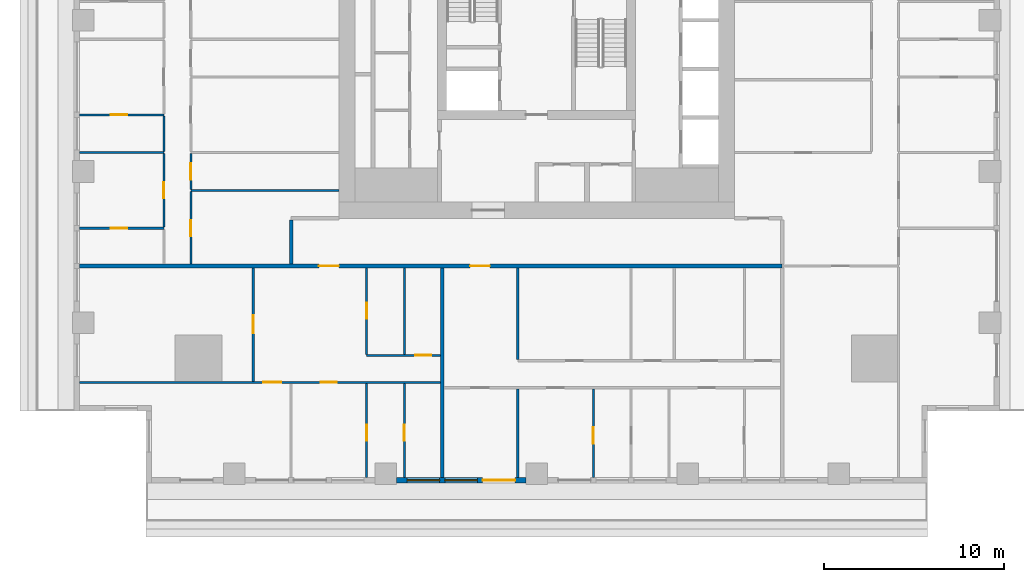
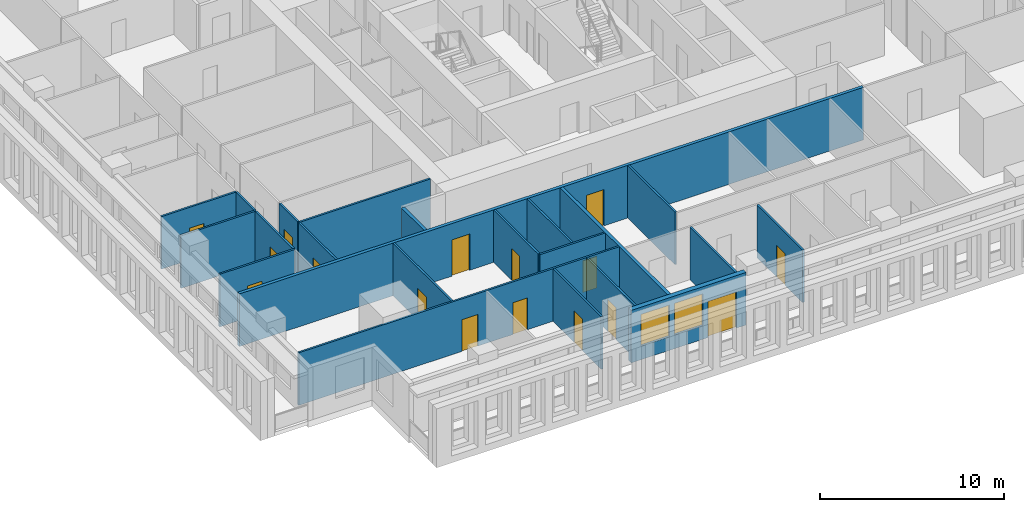
# One storey, part 2 of 16: 22 walls, 16 doors, 2 windows, 18 openings.
"""IFC4 building model written with IfcOpenShell, lengths in metres."""

from ifc_helpers import new_model, si_unit, direction, frame, frame_2d, origin, place, context, subcontext, project, spatial, rectangle, extrude, material, layer, layer_set, type_object, element, fill, save


model = new_model("IFC4")

# Units and contexts
model_context = context("Model", 3, precision=1e-05, world=origin(), true_north=direction((0.0, 1.0)))
body_context = subcontext(model_context, "Body", "Model", "MODEL_VIEW")
ifc_project = project(units=[si_unit("LENGTHUNIT", "METRE"), si_unit("AREAUNIT", "SQUARE_METRE"), si_unit("VOLUMEUNIT", "CUBIC_METRE"), si_unit("PLANEANGLEUNIT", "RADIAN"), si_unit("MASSUNIT", "GRAM", prefix="KILO")], contexts=[model_context])

# Site, building, storey
site_placement = place(None, origin())
site = spatial("IfcSite", under=ifc_project, at=site_placement, CompositionType="ELEMENT")
building_placement = place(site_placement, origin())
building = spatial("IfcBuilding", under=site, at=building_placement, Name="Khepri Terraces", CompositionType="ELEMENT")
storey_placement = place(building_placement, frame((0.0, 0.0, 172.800048828125)))
storey = spatial("IfcBuildingStorey", under=building, at=storey_placement, Name="L41", CompositionType="ELEMENT", Elevation=172.800048828125)

# Wall
ifc_material_1 = material(Name="Fire-rated gypsum plasterboard partition, mineral wool")
ifc_layer_1 = layer(ifc_material_1, 0.199951171875, Name="Fire-rated gypsum plasterboard partition, mineral wool")
ifc_layer_set_1 = layer_set([ifc_layer_1], Name="Fire-rated gypsum plasterboard partition, mineral wool")
wall_type_1 = type_object("IfcWallType", Name="WL-CORR-200", PredefinedType="PARTITIONING", material=ifc_layer_set_1)
wall_1_placement = place(storey_placement, frame((-5.25, -25.419921875, 0.0), z_axis=(0.0, 0.0, 1.0), x_axis=(0.0, 1.0, 0.0)))
element("IfcWall", 1, at=wall_1_placement, inside=storey, type_object=wall_type_1, Name="Partition P-004 L41", PredefinedType="PARTITIONING", context=body_context, shape_type="SweptSolid", body=[
    extrude(rectangle(XDim=11.669921875, YDim=0.199951171875, at=frame_2d((5.8349609375, 0.0))), origin(), (0.0, 0.0, 1.0), 3.47998046875),
])

# Wall, openings, doors
wall_2_placement = place(storey_placement, frame((-25.419921875, -13.64990234375, 0.0), z_axis=(0.0, 0.0, 1.0), x_axis=(1.0, 0.0, 0.0)))
wall_2 = element("IfcWall", 2, at=wall_2_placement, inside=storey, type_object=wall_type_1, Name="Partition P-023 L41", PredefinedType="PARTITIONING", context=body_context, shape_type="SweptSolid", body=[
    extrude(rectangle(XDim=39.06982421875, YDim=0.199951171875, at=frame_2d((19.534912109375, 0.0))), origin(), (0.0, 0.0, 1.0), 3.47998046875),
])
opening_1_placement = place(wall_2_placement, frame((13.320068359375, 0.0, 0.0)))
opening_1 = element("IfcOpeningElement", 3, at=opening_1_placement, cuts=wall_2, Name="Opening D1", PredefinedType="OPENING", context=body_context, shape_type="SweptSolid", body=[
    extrude(rectangle(XDim=1.10009765625, YDim=2.39990234375, at=frame_2d((0.550048828125, 1.199951171875))), frame((0.0, 0.10986328125, 0.0), z_axis=(0.0, -1.0, 0.0), x_axis=(1.0, 0.0, 0.0)), (0.0, 0.0, 1.0), 0.219970703125),
])
opening_2_placement = place(wall_2_placement, frame((21.719970703125, 0.0, 0.0)))
opening_2 = element("IfcOpeningElement", 4, at=opening_2_placement, cuts=wall_2, Name="Opening D1", PredefinedType="OPENING", context=body_context, shape_type="SweptSolid", body=[
    extrude(rectangle(XDim=1.10009765625, YDim=2.39990234375, at=frame_2d((0.550048828125, 1.199951171875))), frame((0.0, 0.10986328125, 0.0), z_axis=(0.0, -1.0, 0.0), x_axis=(1.0, 0.0, 0.0)), (0.0, 0.0, 1.0), 0.219970703125),
])
ifc_material_2 = material(Name="Solid-core timber door leaf, flat entrance door", Category="wood")
door_type_1 = type_object("IfcDoorType", Name="DR-ENT-1100", OperationType="NOTDEFINED", PredefinedType="DOOR", material=ifc_material_2)
door_1_placement = place(opening_1_placement, frame((1.10009765625, 0.0, 0.0), z_axis=(0.0, 0.0, 1.0), x_axis=(-1.0, 0.0, 0.0)))
door_1 = element("IfcDoor", 5, at=door_1_placement, inside=storey, type_object=door_type_1, Name="Flat A1 entrance door", OperationType="SINGLE_SWING_RIGHT", OverallHeight=2.39990234375, OverallWidth=1.10009765625, PredefinedType="DOOR", context=body_context, shape_type="SweptSolid", body=[
    extrude(rectangle(XDim=1.10009765625, YDim=2.39990234375, at=frame_2d((0.550048828125, 1.199951171875))), frame((0.0, 0.02490234375, 0.0), z_axis=(0.0, -1.0, 0.0), x_axis=(1.0, 0.0, 0.0)), (0.0, 0.0, 1.0), 0.050048828125),
])
fill(opening_1, door_1)
door_2_placement = place(opening_2_placement, frame((1.10009765625, 0.0, 0.0), z_axis=(0.0, 0.0, 1.0), x_axis=(-1.0, 0.0, 0.0)))
door_2 = element("IfcDoor", 6, at=door_2_placement, inside=storey, type_object=door_type_1, Name="Flat A2 entrance door", OperationType="SINGLE_SWING_LEFT", OverallHeight=2.39990234375, OverallWidth=1.10009765625, PredefinedType="DOOR", context=body_context, shape_type="SweptSolid", body=[
    extrude(rectangle(XDim=1.10009765625, YDim=2.39990234375, at=frame_2d((0.550048828125, 1.199951171875))), frame((0.0, 0.02490234375, 0.0), z_axis=(0.0, -1.0, 0.0), x_axis=(1.0, 0.0, 0.0)), (0.0, 0.0, 1.0), 0.050048828125),
])
fill(opening_2, door_2)

# Wall
wall_3_placement = place(storey_placement, frame((-13.64990234375, -13.550048828125, 0.0), z_axis=(0.0, 0.0, 1.0), x_axis=(0.0, 1.0, 0.0)))
element("IfcWall", 7, at=wall_3_placement, inside=storey, type_object=wall_type_1, Name="Partition P-028 L41", PredefinedType="PARTITIONING", context=body_context, shape_type="SweptSolid", body=[
    extrude(rectangle(XDim=2.449951171875, YDim=0.199951171875, at=frame_2d((1.22509765625, 0.0))), origin(), (0.0, 0.0, 1.0), 3.47998046875),
])

# Wall, openings, door, windows
ifc_material_3 = material(Name="Precast concrete C50/60 warm stone", Category="masonry")
ifc_layer_2 = layer(ifc_material_3, 0.300048828125, Name="Precast concrete C50/60 warm stone", Category="masonry")
ifc_layer_set_2 = layer_set([ifc_layer_2], Name="Precast concrete C50/60 warm stone")
wall_type_2 = type_object("IfcWallType", Name="WL-EXT-PRECAST-300", PredefinedType="STANDARD", material=ifc_layer_set_2)
wall_4_placement = place(storey_placement, frame((-7.800048828125, -25.570068359375, 0.0), z_axis=(0.0, 0.0, 1.0), x_axis=(1.0, 0.0, 0.0)))
wall_4 = element("IfcWall", 8, at=wall_4_placement, inside=storey, type_object=wall_type_2, Name="External wall L41 S", PredefinedType="STANDARD", context=body_context, shape_type="SweptSolid", body=[
    extrude(rectangle(XDim=7.199951171875, YDim=0.300048828125, at=frame_2d((3.60009765625, 0.0))), origin(), (0.0, 0.0, 1.0), 3.47998046875),
])
opening_3_placement = place(wall_4_placement, frame((0.60009765625, 0.0, 0.89990234375)))
opening_3 = element("IfcOpeningElement", 9, at=opening_3_placement, cuts=wall_4, Name="Opening W1", PredefinedType="OPENING", context=body_context, shape_type="SweptSolid", body=[
    extrude(rectangle(XDim=1.800048828125, YDim=2.10009765625, at=frame_2d((0.89990234375, 1.050048828125))), frame((0.0, 0.16015625, 0.0), z_axis=(0.0, -1.0, 0.0), x_axis=(1.0, 0.0, 0.0)), (0.0, 0.0, 1.0), 0.320068359375),
])
opening_4_placement = place(wall_4_placement, frame((2.699951171875, 0.0, 0.89990234375)))
opening_4 = element("IfcOpeningElement", 10, at=opening_4_placement, cuts=wall_4, Name="Opening W1", PredefinedType="OPENING", context=body_context, shape_type="SweptSolid", body=[
    extrude(rectangle(XDim=1.800048828125, YDim=2.10009765625, at=frame_2d((0.89990234375, 1.050048828125))), frame((0.0, 0.16015625, 0.0), z_axis=(0.0, -1.0, 0.0), x_axis=(1.0, 0.0, 0.0)), (0.0, 0.0, 1.0), 0.320068359375),
])
opening_5_placement = place(wall_4_placement, frame((4.800048828125, 0.0, 0.0)))
opening_5 = element("IfcOpeningElement", 11, at=opening_5_placement, cuts=wall_4, Name="Opening ED-L41-15", PredefinedType="OPENING", context=body_context, shape_type="SweptSolid", body=[
    extrude(rectangle(XDim=1.800048828125, YDim=2.39990234375, at=frame_2d((0.89990234375, 1.199951171875))), frame((0.0, 0.16015625, 0.0), z_axis=(0.0, -1.0, 0.0), x_axis=(1.0, 0.0, 0.0)), (0.0, 0.0, 1.0), 0.320068359375),
])
ifc_material_4 = material(Name="Anodised aluminium bronze glazed door", Category="aluminium")
door_type_2 = type_object("IfcDoorType", Name="DR-BAL-SLIDE-1800x2400", OperationType="NOTDEFINED", PredefinedType="DOOR", material=ifc_material_4)
door_3_placement = place(opening_5_placement, origin())
door_3 = element("IfcDoor", 12, at=door_3_placement, inside=storey, type_object=door_type_2, Name="Balcony door L41 S", OperationType="SLIDING_TO_RIGHT", OverallHeight=2.39990234375, OverallWidth=1.800048828125, PredefinedType="DOOR", context=body_context, shape_type="SweptSolid", body=[
    extrude(rectangle(XDim=1.800048828125, YDim=2.39990234375, at=frame_2d((0.89990234375, 1.199951171875))), frame((0.0, 0.02490234375, 0.0), z_axis=(0.0, -1.0, 0.0), x_axis=(1.0, 0.0, 0.0)), (0.0, 0.0, 1.0), 0.050048828125),
])
fill(opening_5, door_3)
ifc_material_5 = material(Name="Clear glass", Category="glass")
window_type = type_object("IfcWindowType", Name="WIN-RES-1800x2100", PartitioningType="SINGLE_PANEL", PredefinedType="WINDOW", material=ifc_material_5)
window_1_placement = place(opening_3_placement, origin())
window_1 = element("IfcWindow", 13, at=window_1_placement, inside=storey, type_object=window_type, Name="Window L41 S", OverallHeight=2.10009765625, OverallWidth=1.800048828125, PartitioningType="SINGLE_PANEL", PredefinedType="WINDOW", context=body_context, shape_type="SweptSolid", body=[
    extrude(rectangle(XDim=1.800048828125, YDim=2.10009765625, at=frame_2d((0.89990234375, 1.050048828125))), frame((0.0, 0.030029296875, 0.0), z_axis=(0.0, -1.0, 0.0), x_axis=(1.0, 0.0, 0.0)), (0.0, 0.0, 1.0), 0.06005859375),
])
fill(opening_3, window_1)
window_2_placement = place(opening_4_placement, origin())
window_2 = element("IfcWindow", 14, at=window_2_placement, inside=storey, type_object=window_type, Name="Window L41 S", OverallHeight=2.10009765625, OverallWidth=1.800048828125, PartitioningType="SINGLE_PANEL", PredefinedType="WINDOW", context=body_context, shape_type="SweptSolid", body=[
    extrude(rectangle(XDim=1.800048828125, YDim=2.10009765625, at=frame_2d((0.89990234375, 1.050048828125))), frame((0.0, 0.030029296875, 0.0), z_axis=(0.0, -1.0, 0.0), x_axis=(1.0, 0.0, 0.0)), (0.0, 0.0, 1.0), 0.06005859375),
])
fill(opening_4, window_2)

# Wall, opening, door
ifc_material_6 = material(Name="Gypsum plasterboard partition")
ifc_layer_3 = layer(ifc_material_6, 0.1201171875, Name="Gypsum plasterboard partition")
ifc_layer_set_3 = layer_set([ifc_layer_3], Name="Gypsum plasterboard partition")
wall_type_3 = type_object("IfcWallType", Name="WL-PART-120", PredefinedType="PARTITIONING", material=ifc_layer_set_3)
wall_5_placement = place(storey_placement, frame((-9.449951171875, -25.419921875, 0.0), z_axis=(0.0, 0.0, 1.0), x_axis=(0.0, 1.0, 0.0)))
wall_5 = element("IfcWall", 15, at=wall_5_placement, inside=storey, type_object=wall_type_3, Name="Partition P-002 L41", PredefinedType="PARTITIONING", context=body_context, shape_type="SweptSolid", body=[
    extrude(rectangle(XDim=5.239990234375, YDim=0.1201171875, at=frame_2d((2.6201171875, 0.0))), origin(), (0.0, 0.0, 1.0), 3.47998046875),
])
opening_6_placement = place(wall_5_placement, frame((2.050048828125, 0.0, 0.0)))
opening_6 = element("IfcOpeningElement", 16, at=opening_6_placement, cuts=wall_5, Name="Opening D3", PredefinedType="OPENING", context=body_context, shape_type="SweptSolid", body=[
    extrude(rectangle(XDim=0.89990234375, YDim=2.10009765625, at=frame_2d((0.449951171875, 1.050048828125))), frame((0.0, 0.070068359375, 0.0), z_axis=(0.0, -1.0, 0.0), x_axis=(1.0, 0.0, 0.0)), (0.0, 0.0, 1.0), 0.14013671875),
])
ifc_material_7 = material(Name="Timber door leaf", Category="wood")
door_type_3 = type_object("IfcDoorType", Name="DR-INT-900", OperationType="NOTDEFINED", PredefinedType="DOOR", material=ifc_material_7)
door_4_placement = place(opening_6_placement, frame((0.89990234375, 0.0, 0.0), z_axis=(0.0, 0.0, 1.0), x_axis=(-1.0, 0.0, 0.0)))
door_4 = element("IfcDoor", 17, at=door_4_placement, inside=storey, type_object=door_type_3, Name="Door Dressing Room", OperationType="SINGLE_SWING_RIGHT", OverallHeight=2.10009765625, OverallWidth=0.89990234375, PredefinedType="DOOR", context=body_context, shape_type="SweptSolid", body=[
    extrude(rectangle(XDim=0.89990234375, YDim=2.10009765625, at=frame_2d((0.449951171875, 1.050048828125))), frame((0.0, 0.02490234375, 0.0), z_axis=(0.0, -1.0, 0.0), x_axis=(1.0, 0.0, 0.0)), (0.0, 0.0, 1.0), 0.050048828125),
])
fill(opening_6, door_4)

wall_6_placement = place(storey_placement, frame((-7.35009765625, -25.419921875, 0.0), z_axis=(0.0, 0.0, 1.0), x_axis=(0.0, 1.0, 0.0)))
wall_6 = element("IfcWall", 18, at=wall_6_placement, inside=storey, type_object=wall_type_3, Name="Partition P-003 L41", PredefinedType="PARTITIONING", context=body_context, shape_type="SweptSolid", body=[
    extrude(rectangle(XDim=5.239990234375, YDim=0.1201171875, at=frame_2d((2.6201171875, 0.0))), origin(), (0.0, 0.0, 1.0), 3.47998046875),
])
opening_7_placement = place(wall_6_placement, frame((2.050048828125, 0.0, 0.0)))
opening_7 = element("IfcOpeningElement", 19, at=opening_7_placement, cuts=wall_6, Name="Opening D4", PredefinedType="OPENING", context=body_context, shape_type="SweptSolid", body=[
    extrude(rectangle(XDim=0.89990234375, YDim=2.10009765625, at=frame_2d((0.449951171875, 1.050048828125))), frame((0.0, 0.070068359375, 0.0), z_axis=(0.0, -1.0, 0.0), x_axis=(1.0, 0.0, 0.0)), (0.0, 0.0, 1.0), 0.14013671875),
])
ifc_material_8 = material(Name="Timber door leaf, moisture resistant", Category="wood")
door_type_4 = type_object("IfcDoorType", Name="DR-WET-900", OperationType="NOTDEFINED", PredefinedType="DOOR", material=ifc_material_8)
door_5_placement = place(opening_7_placement, frame((0.89990234375, 0.0, 0.0), z_axis=(0.0, 0.0, 1.0), x_axis=(-1.0, 0.0, 0.0)))
door_5 = element("IfcDoor", 20, at=door_5_placement, inside=storey, type_object=door_type_4, Name="Door Bathroom", OperationType="SINGLE_SWING_RIGHT", OverallHeight=2.10009765625, OverallWidth=0.89990234375, PredefinedType="DOOR", context=body_context, shape_type="SweptSolid", body=[
    extrude(rectangle(XDim=0.89990234375, YDim=2.10009765625, at=frame_2d((0.449951171875, 1.050048828125))), frame((0.0, 0.02490234375, 0.0), z_axis=(0.0, -1.0, 0.0), x_axis=(1.0, 0.0, 0.0)), (0.0, 0.0, 1.0), 0.050048828125),
])
fill(opening_7, door_5)

# Wall
wall_7_placement = place(storey_placement, frame((-1.050048828125, -25.419921875, 0.0), z_axis=(0.0, 0.0, 1.0), x_axis=(0.0, 1.0, 0.0)))
element("IfcWall", 21, at=wall_7_placement, inside=storey, type_object=wall_type_3, Name="Partition P-005 L41", PredefinedType="PARTITIONING", context=body_context, shape_type="SweptSolid", body=[
    extrude(rectangle(XDim=4.93994140625, YDim=0.1201171875, at=frame_2d((2.469970703125, 0.0))), origin(), (0.0, 0.0, 1.0), 3.47998046875),
])

# Wall, opening, door
wall_8_placement = place(storey_placement, frame((3.14990234375, -25.419921875, 0.0), z_axis=(0.0, 0.0, 1.0), x_axis=(0.0, 1.0, 0.0)))
wall_8 = element("IfcWall", 22, at=wall_8_placement, inside=storey, type_object=wall_type_3, Name="Partition P-006 L41", PredefinedType="PARTITIONING", context=body_context, shape_type="SweptSolid", body=[
    extrude(rectangle(XDim=4.93994140625, YDim=0.1201171875, at=frame_2d((2.469970703125, 0.0))), origin(), (0.0, 0.0, 1.0), 3.47998046875),
])
opening_8_placement = place(wall_8_placement, frame((1.89990234375, 0.0, 0.0)))
opening_8 = element("IfcOpeningElement", 23, at=opening_8_placement, cuts=wall_8, Name="Opening D3", PredefinedType="OPENING", context=body_context, shape_type="SweptSolid", body=[
    extrude(rectangle(XDim=0.89990234375, YDim=2.10009765625, at=frame_2d((0.449951171875, 1.050048828125))), frame((0.0, 0.070068359375, 0.0), z_axis=(0.0, -1.0, 0.0), x_axis=(1.0, 0.0, 0.0)), (0.0, 0.0, 1.0), 0.14013671875),
])
door_6_placement = place(opening_8_placement, frame((0.89990234375, 0.0, 0.0), z_axis=(0.0, 0.0, 1.0), x_axis=(-1.0, 0.0, 0.0)))
door_6 = element("IfcDoor", 24, at=door_6_placement, inside=storey, type_object=door_type_3, Name="Door Dressing Room", OperationType="SINGLE_SWING_RIGHT", OverallHeight=2.10009765625, OverallWidth=0.89990234375, PredefinedType="DOOR", context=body_context, shape_type="SweptSolid", body=[
    extrude(rectangle(XDim=0.89990234375, YDim=2.10009765625, at=frame_2d((0.449951171875, 1.050048828125))), frame((0.0, 0.02490234375, 0.0), z_axis=(0.0, -1.0, 0.0), x_axis=(1.0, 0.0, 0.0)), (0.0, 0.0, 1.0), 0.050048828125),
])
fill(opening_8, door_6)

# Wall, openings, doors
wall_9_placement = place(storey_placement, frame((-25.419921875, -20.1201171875, 0.0), z_axis=(0.0, 0.0, 1.0), x_axis=(1.0, 0.0, 0.0)))
wall_9 = element("IfcWall", 25, at=wall_9_placement, inside=storey, type_object=wall_type_3, Name="Partition P-013 L41", PredefinedType="PARTITIONING", context=body_context, shape_type="SweptSolid", body=[
    extrude(rectangle(XDim=20.06982421875, YDim=0.1201171875, at=frame_2d((10.034912109375, 0.0))), origin(), (0.0, 0.0, 1.0), 3.47998046875),
])
opening_9_placement = place(wall_9_placement, frame((10.219970703125, 0.0, 0.0)))
opening_9 = element("IfcOpeningElement", 26, at=opening_9_placement, cuts=wall_9, Name="Opening D2", PredefinedType="OPENING", context=body_context, shape_type="SweptSolid", body=[
    extrude(rectangle(XDim=1.0, YDim=2.10009765625, at=frame_2d((0.5, 1.050048828125))), frame((0.0, 0.070068359375, 0.0), z_axis=(0.0, -1.0, 0.0), x_axis=(1.0, 0.0, 0.0)), (0.0, 0.0, 1.0), 0.14013671875),
])
opening_10_placement = place(wall_9_placement, frame((13.419921875, 0.0, 0.0)))
opening_10 = element("IfcOpeningElement", 27, at=opening_10_placement, cuts=wall_9, Name="Opening D3", PredefinedType="OPENING", context=body_context, shape_type="SweptSolid", body=[
    extrude(rectangle(XDim=0.89990234375, YDim=2.10009765625, at=frame_2d((0.449951171875, 1.050048828125))), frame((0.0, 0.070068359375, 0.0), z_axis=(0.0, -1.0, 0.0), x_axis=(1.0, 0.0, 0.0)), (0.0, 0.0, 1.0), 0.14013671875),
])
ifc_material_9 = material(Name="Timber door leaf, living room door", Category="wood")
door_type_5 = type_object("IfcDoorType", Name="DR-INT-1000", OperationType="NOTDEFINED", PredefinedType="DOOR", material=ifc_material_9)
door_7_placement = place(opening_9_placement, frame((1.0, 0.0, 0.0), z_axis=(0.0, 0.0, 1.0), x_axis=(-1.0, 0.0, 0.0)))
door_7 = element("IfcDoor", 28, at=door_7_placement, inside=storey, type_object=door_type_5, Name="Door Living Room", OperationType="SINGLE_SWING_LEFT", OverallHeight=2.10009765625, OverallWidth=1.0, PredefinedType="DOOR", context=body_context, shape_type="SweptSolid", body=[
    extrude(rectangle(XDim=1.0, YDim=2.10009765625, at=frame_2d((0.5, 1.050048828125))), frame((0.0, 0.02490234375, 0.0), z_axis=(0.0, -1.0, 0.0), x_axis=(1.0, 0.0, 0.0)), (0.0, 0.0, 1.0), 0.050048828125),
])
fill(opening_9, door_7)
door_8_placement = place(opening_10_placement, frame((0.89990234375, 0.0, 0.0), z_axis=(0.0, 0.0, 1.0), x_axis=(-1.0, 0.0, 0.0)))
door_8 = element("IfcDoor", 29, at=door_8_placement, inside=storey, type_object=door_type_3, Name="Door Master Bedroom", OperationType="SINGLE_SWING_LEFT", OverallHeight=2.10009765625, OverallWidth=0.89990234375, PredefinedType="DOOR", context=body_context, shape_type="SweptSolid", body=[
    extrude(rectangle(XDim=0.89990234375, YDim=2.10009765625, at=frame_2d((0.449951171875, 1.050048828125))), frame((0.0, 0.02490234375, 0.0), z_axis=(0.0, -1.0, 0.0), x_axis=(1.0, 0.0, 0.0)), (0.0, 0.0, 1.0), 0.050048828125),
])
fill(opening_10, door_8)

# Wall, opening, door
wall_10_placement = place(storey_placement, frame((-15.75, -20.06005859375, 0.0), z_axis=(0.0, 0.0, 1.0), x_axis=(0.0, 1.0, 0.0)))
wall_10 = element("IfcWall", 30, at=wall_10_placement, inside=storey, type_object=wall_type_3, Name="Partition P-014 L41", PredefinedType="PARTITIONING", context=body_context, shape_type="SweptSolid", body=[
    extrude(rectangle(XDim=6.31005859375, YDim=0.1201171875, at=frame_2d((3.155029296875, 0.0))), origin(), (0.0, 0.0, 1.0), 3.47998046875),
])
opening_11_placement = place(wall_10_placement, frame((2.675048828125, 0.0, 0.0)))
opening_11 = element("IfcOpeningElement", 31, at=opening_11_placement, cuts=wall_10, Name="Opening D2", PredefinedType="OPENING", context=body_context, shape_type="SweptSolid", body=[
    extrude(rectangle(XDim=1.0, YDim=2.10009765625, at=frame_2d((0.5, 1.050048828125))), frame((0.0, 0.070068359375, 0.0), z_axis=(0.0, -1.0, 0.0), x_axis=(1.0, 0.0, 0.0)), (0.0, 0.0, 1.0), 0.14013671875),
])
door_9_placement = place(opening_11_placement, origin())
door_9 = element("IfcDoor", 32, at=door_9_placement, inside=storey, type_object=door_type_5, Name="Door Family Room", OperationType="SINGLE_SWING_RIGHT", OverallHeight=2.10009765625, OverallWidth=1.0, PredefinedType="DOOR", context=body_context, shape_type="SweptSolid", body=[
    extrude(rectangle(XDim=1.0, YDim=2.10009765625, at=frame_2d((0.5, 1.050048828125))), frame((0.0, 0.02490234375, 0.0), z_axis=(0.0, -1.0, 0.0), x_axis=(1.0, 0.0, 0.0)), (0.0, 0.0, 1.0), 0.050048828125),
])
fill(opening_11, door_9)

# Wall
wall_11_placement = place(storey_placement, frame((-1.050048828125, -18.860107421875, 0.0), z_axis=(0.0, 0.0, 1.0), x_axis=(0.0, 1.0, 0.0)))
element("IfcWall", 33, at=wall_11_placement, inside=storey, type_object=wall_type_3, Name="Partition P-016 L41", PredefinedType="PARTITIONING", context=body_context, shape_type="SweptSolid", body=[
    extrude(rectangle(XDim=5.110107421875, YDim=0.1201171875, at=frame_2d((2.55517578125, 0.0))), origin(), (0.0, 0.0, 1.0), 3.47998046875),
])

# Wall, opening, door
wall_12_placement = place(storey_placement, frame((-9.449951171875, -18.6201171875, 0.0), z_axis=(0.0, 0.0, 1.0), x_axis=(1.0, 0.0, 0.0)))
wall_12 = element("IfcWall", 34, at=wall_12_placement, inside=storey, type_object=wall_type_3, Name="Partition P-020 L41", PredefinedType="PARTITIONING", context=body_context, shape_type="SweptSolid", body=[
    extrude(rectangle(XDim=4.099853515625, YDim=0.1201171875, at=frame_2d((2.0498046875, 0.0))), origin(), (0.0, 0.0, 1.0), 3.47998046875),
])
opening_12_placement = place(wall_12_placement, frame((2.699951171875, 0.0, 0.0)))
opening_12 = element("IfcOpeningElement", 35, at=opening_12_placement, cuts=wall_12, Name="Opening D3", PredefinedType="OPENING", context=body_context, shape_type="SweptSolid", body=[
    extrude(rectangle(XDim=0.89990234375, YDim=2.10009765625, at=frame_2d((0.449951171875, 1.050048828125))), frame((0.0, 0.070068359375, 0.0), z_axis=(0.0, -1.0, 0.0), x_axis=(1.0, 0.0, 0.0)), (0.0, 0.0, 1.0), 0.14013671875),
])
door_10_placement = place(opening_12_placement, origin())
door_10 = element("IfcDoor", 36, at=door_10_placement, inside=storey, type_object=door_type_3, Name="Door Kitchen", OperationType="SINGLE_SWING_RIGHT", OverallHeight=2.10009765625, OverallWidth=0.89990234375, PredefinedType="DOOR", context=body_context, shape_type="SweptSolid", body=[
    extrude(rectangle(XDim=0.89990234375, YDim=2.10009765625, at=frame_2d((0.449951171875, 1.050048828125))), frame((0.0, 0.02490234375, 0.0), z_axis=(0.0, -1.0, 0.0), x_axis=(1.0, 0.0, 0.0)), (0.0, 0.0, 1.0), 0.050048828125),
])
fill(opening_12, door_10)

wall_13_placement = place(storey_placement, frame((-9.449951171875, -18.56005859375, 0.0), z_axis=(0.0, 0.0, 1.0), x_axis=(0.0, 1.0, 0.0)))
wall_13 = element("IfcWall", 37, at=wall_13_placement, inside=storey, type_object=wall_type_3, Name="Partition P-021 L41", PredefinedType="PARTITIONING", context=body_context, shape_type="SweptSolid", body=[
    extrude(rectangle(XDim=4.81005859375, YDim=0.1201171875, at=frame_2d((2.405029296875, 0.0))), origin(), (0.0, 0.0, 1.0), 3.47998046875),
])
opening_13_placement = place(wall_13_placement, frame((1.97509765625, 0.0, 0.0)))
opening_13 = element("IfcOpeningElement", 38, at=opening_13_placement, cuts=wall_13, Name="Opening D4", PredefinedType="OPENING", context=body_context, shape_type="SweptSolid", body=[
    extrude(rectangle(XDim=0.89990234375, YDim=2.10009765625, at=frame_2d((0.449951171875, 1.050048828125))), frame((0.0, 0.070068359375, 0.0), z_axis=(0.0, -1.0, 0.0), x_axis=(1.0, 0.0, 0.0)), (0.0, 0.0, 1.0), 0.14013671875),
])
door_11_placement = place(opening_13_placement, frame((0.89990234375, 0.0, 0.0), z_axis=(0.0, 0.0, 1.0), x_axis=(-1.0, 0.0, 0.0)))
door_11 = element("IfcDoor", 39, at=door_11_placement, inside=storey, type_object=door_type_4, Name="Door Guest Bathroom", OperationType="SINGLE_SWING_LEFT", OverallHeight=2.10009765625, OverallWidth=0.89990234375, PredefinedType="DOOR", context=body_context, shape_type="SweptSolid", body=[
    extrude(rectangle(XDim=0.89990234375, YDim=2.10009765625, at=frame_2d((0.449951171875, 1.050048828125))), frame((0.0, 0.02490234375, 0.0), z_axis=(0.0, -1.0, 0.0), x_axis=(1.0, 0.0, 0.0)), (0.0, 0.0, 1.0), 0.050048828125),
])
fill(opening_13, door_11)

# Wall
wall_14_placement = place(storey_placement, frame((-7.35009765625, -18.56005859375, 0.0), z_axis=(0.0, 0.0, 1.0), x_axis=(0.0, 1.0, 0.0)))
element("IfcWall", 40, at=wall_14_placement, inside=storey, type_object=wall_type_3, Name="Partition P-022 L41", PredefinedType="PARTITIONING", context=body_context, shape_type="SweptSolid", body=[
    extrude(rectangle(XDim=4.81005859375, YDim=0.1201171875, at=frame_2d((2.405029296875, 0.0))), origin(), (0.0, 0.0, 1.0), 3.47998046875),
])

# Wall, opening, door
wall_15_placement = place(storey_placement, frame((-19.219970703125, -13.550048828125, 0.0), z_axis=(0.0, 0.0, 1.0), x_axis=(0.0, 1.0, 0.0)))
wall_15 = element("IfcWall", 41, at=wall_15_placement, inside=storey, type_object=wall_type_3, Name="Partition P-027 L41", PredefinedType="PARTITIONING", context=body_context, shape_type="SweptSolid", body=[
    extrude(rectangle(XDim=4.0400390625, YDim=0.1201171875, at=frame_2d((2.02001953125, 0.0))), origin(), (0.0, 0.0, 1.0), 3.47998046875),
])
opening_14_placement = place(wall_15_placement, frame((1.550048828125, 0.0, 0.0)))
opening_14 = element("IfcOpeningElement", 42, at=opening_14_placement, cuts=wall_15, Name="Opening D3", PredefinedType="OPENING", context=body_context, shape_type="SweptSolid", body=[
    extrude(rectangle(XDim=0.89990234375, YDim=2.10009765625, at=frame_2d((0.449951171875, 1.050048828125))), frame((0.0, 0.070068359375, 0.0), z_axis=(0.0, -1.0, 0.0), x_axis=(1.0, 0.0, 0.0)), (0.0, 0.0, 1.0), 0.14013671875),
])
door_12_placement = place(opening_14_placement, frame((0.89990234375, 0.0, 0.0), z_axis=(0.0, 0.0, 1.0), x_axis=(-1.0, 0.0, 0.0)))
door_12 = element("IfcDoor", 43, at=door_12_placement, inside=storey, type_object=door_type_3, Name="Door Library", OperationType="SINGLE_SWING_RIGHT", OverallHeight=2.10009765625, OverallWidth=0.89990234375, PredefinedType="DOOR", context=body_context, shape_type="SweptSolid", body=[
    extrude(rectangle(XDim=0.89990234375, YDim=2.10009765625, at=frame_2d((0.449951171875, 1.050048828125))), frame((0.0, 0.02490234375, 0.0), z_axis=(0.0, -1.0, 0.0), x_axis=(1.0, 0.0, 0.0)), (0.0, 0.0, 1.0), 0.050048828125),
])
fill(opening_14, door_12)

wall_16_placement = place(storey_placement, frame((-25.419921875, -11.550048828125, 0.0), z_axis=(0.0, 0.0, 1.0), x_axis=(1.0, 0.0, 0.0)))
wall_16 = element("IfcWall", 44, at=wall_16_placement, inside=storey, type_object=wall_type_3, Name="Partition P-030 L41", PredefinedType="PARTITIONING", context=body_context, shape_type="SweptSolid", body=[
    extrude(rectangle(XDim=4.699951171875, YDim=0.1201171875, at=frame_2d((2.35009765625, 0.0))), origin(), (0.0, 0.0, 1.0), 3.47998046875),
])
opening_15_placement = place(wall_16_placement, frame((1.75, 0.0, 0.0)))
opening_15 = element("IfcOpeningElement", 45, at=opening_15_placement, cuts=wall_16, Name="Opening D4", PredefinedType="OPENING", context=body_context, shape_type="SweptSolid", body=[
    extrude(rectangle(XDim=0.89990234375, YDim=2.10009765625, at=frame_2d((0.449951171875, 1.050048828125))), frame((0.0, 0.070068359375, 0.0), z_axis=(0.0, -1.0, 0.0), x_axis=(1.0, 0.0, 0.0)), (0.0, 0.0, 1.0), 0.14013671875),
])
door_13_placement = place(opening_15_placement, frame((0.89990234375, 0.0, 0.0), z_axis=(0.0, 0.0, 1.0), x_axis=(-1.0, 0.0, 0.0)))
door_13 = element("IfcDoor", 46, at=door_13_placement, inside=storey, type_object=door_type_4, Name="Door Bathroom", OperationType="SINGLE_SWING_RIGHT", OverallHeight=2.10009765625, OverallWidth=0.89990234375, PredefinedType="DOOR", context=body_context, shape_type="SweptSolid", body=[
    extrude(rectangle(XDim=0.89990234375, YDim=2.10009765625, at=frame_2d((0.449951171875, 1.050048828125))), frame((0.0, 0.02490234375, 0.0), z_axis=(0.0, -1.0, 0.0), x_axis=(1.0, 0.0, 0.0)), (0.0, 0.0, 1.0), 0.050048828125),
])
fill(opening_15, door_13)

wall_17_placement = place(storey_placement, frame((-20.719970703125, -11.489990234375, 0.0), z_axis=(0.0, 0.0, 1.0), x_axis=(0.0, 1.0, 0.0)))
wall_17 = element("IfcWall", 47, at=wall_17_placement, inside=storey, type_object=wall_type_3, Name="Partition P-032 L41", PredefinedType="PARTITIONING", context=body_context, shape_type="SweptSolid", body=[
    extrude(rectangle(XDim=4.080078125, YDim=0.1201171875, at=frame_2d((2.0400390625, 0.0))), origin(), (0.0, 0.0, 1.0), 3.47998046875),
])
opening_16_placement = place(wall_17_placement, frame((1.590087890625, 0.0, 0.0)))
opening_16 = element("IfcOpeningElement", 48, at=opening_16_placement, cuts=wall_17, Name="Opening D3", PredefinedType="OPENING", context=body_context, shape_type="SweptSolid", body=[
    extrude(rectangle(XDim=0.89990234375, YDim=2.10009765625, at=frame_2d((0.449951171875, 1.050048828125))), frame((0.0, 0.070068359375, 0.0), z_axis=(0.0, -1.0, 0.0), x_axis=(1.0, 0.0, 0.0)), (0.0, 0.0, 1.0), 0.14013671875),
])
door_14_placement = place(opening_16_placement, origin())
door_14 = element("IfcDoor", 49, at=door_14_placement, inside=storey, type_object=door_type_3, Name="Door Bedroom", OperationType="SINGLE_SWING_RIGHT", OverallHeight=2.10009765625, OverallWidth=0.89990234375, PredefinedType="DOOR", context=body_context, shape_type="SweptSolid", body=[
    extrude(rectangle(XDim=0.89990234375, YDim=2.10009765625, at=frame_2d((0.449951171875, 1.050048828125))), frame((0.0, 0.02490234375, 0.0), z_axis=(0.0, -1.0, 0.0), x_axis=(1.0, 0.0, 0.0)), (0.0, 0.0, 1.0), 0.050048828125),
])
fill(opening_16, door_14)

# Wall
wall_18_placement = place(storey_placement, frame((-19.219970703125, -9.449951171875, 0.0), z_axis=(0.0, 0.0, 1.0), x_axis=(1.0, 0.0, 0.0)))
element("IfcWall", 50, at=wall_18_placement, inside=storey, type_object=wall_type_3, Name="Partition P-036 L41", PredefinedType="PARTITIONING", context=body_context, shape_type="SweptSolid", body=[
    extrude(rectangle(XDim=8.219970703125, YDim=0.1201171875, at=frame_2d((4.10986328125, 0.0))), origin(), (0.0, 0.0, 1.0), 3.47998046875),
])

# Wall, opening, door
wall_19_placement = place(storey_placement, frame((-19.219970703125, -9.389892578125, 0.0), z_axis=(0.0, 0.0, 1.0), x_axis=(0.0, 1.0, 0.0)))
wall_19 = element("IfcWall", 51, at=wall_19_placement, inside=storey, type_object=wall_type_3, Name="Partition P-037 L41", PredefinedType="PARTITIONING", context=body_context, shape_type="SweptSolid", body=[
    extrude(rectangle(XDim=1.97998046875, YDim=0.1201171875, at=frame_2d((0.989990234375, 0.0))), origin(), (0.0, 0.0, 1.0), 3.47998046875),
])
opening_17_placement = place(wall_19_placement, frame((0.5400390625, 0.0, 0.0)))
opening_17 = element("IfcOpeningElement", 52, at=opening_17_placement, cuts=wall_19, Name="Opening D4", PredefinedType="OPENING", context=body_context, shape_type="SweptSolid", body=[
    extrude(rectangle(XDim=0.89990234375, YDim=2.10009765625, at=frame_2d((0.449951171875, 1.050048828125))), frame((0.0, 0.070068359375, 0.0), z_axis=(0.0, -1.0, 0.0), x_axis=(1.0, 0.0, 0.0)), (0.0, 0.0, 1.0), 0.14013671875),
])
door_15_placement = place(opening_17_placement, frame((0.89990234375, 0.0, 0.0), z_axis=(0.0, 0.0, 1.0), x_axis=(-1.0, 0.0, 0.0)))
door_15 = element("IfcDoor", 53, at=door_15_placement, inside=storey, type_object=door_type_4, Name="Door Guest Bathroom", OperationType="SINGLE_SWING_LEFT", OverallHeight=2.10009765625, OverallWidth=0.89990234375, PredefinedType="DOOR", context=body_context, shape_type="SweptSolid", body=[
    extrude(rectangle(XDim=0.89990234375, YDim=2.10009765625, at=frame_2d((0.449951171875, 1.050048828125))), frame((0.0, 0.02490234375, 0.0), z_axis=(0.0, -1.0, 0.0), x_axis=(1.0, 0.0, 0.0)), (0.0, 0.0, 1.0), 0.050048828125),
])
fill(opening_17, door_15)

# Walls
wall_20_placement = place(storey_placement, frame((-25.419921875, -7.35009765625, 0.0), z_axis=(0.0, 0.0, 1.0), x_axis=(1.0, 0.0, 0.0)))
element("IfcWall", 54, at=wall_20_placement, inside=storey, type_object=wall_type_3, Name="Partition P-038 L41", PredefinedType="PARTITIONING", context=body_context, shape_type="SweptSolid", body=[
    extrude(rectangle(XDim=4.699951171875, YDim=0.1201171875, at=frame_2d((2.35009765625, 0.0))), origin(), (0.0, 0.0, 1.0), 3.47998046875),
])
wall_21_placement = place(storey_placement, frame((-20.719970703125, -7.2900390625, 0.0), z_axis=(0.0, 0.0, 1.0), x_axis=(0.0, 1.0, 0.0)))
element("IfcWall", 55, at=wall_21_placement, inside=storey, type_object=wall_type_3, Name="Partition P-042 L41", PredefinedType="PARTITIONING", context=body_context, shape_type="SweptSolid", body=[
    extrude(rectangle(XDim=1.97998046875, YDim=0.1201171875, at=frame_2d((0.989990234375, 0.0))), origin(), (0.0, 0.0, 1.0), 3.47998046875),
])

# Wall, opening, door
wall_22_placement = place(storey_placement, frame((-25.419921875, -5.25, 0.0), z_axis=(0.0, 0.0, 1.0), x_axis=(1.0, 0.0, 0.0)))
wall_22 = element("IfcWall", 56, at=wall_22_placement, inside=storey, type_object=wall_type_3, Name="Partition P-046 L41", PredefinedType="PARTITIONING", context=body_context, shape_type="SweptSolid", body=[
    extrude(rectangle(XDim=4.699951171875, YDim=0.1201171875, at=frame_2d((2.35009765625, 0.0))), origin(), (0.0, 0.0, 1.0), 3.47998046875),
])
opening_18_placement = place(wall_22_placement, frame((1.75, 0.0, 0.0)))
opening_18 = element("IfcOpeningElement", 57, at=opening_18_placement, cuts=wall_22, Name="Opening D4", PredefinedType="OPENING", context=body_context, shape_type="SweptSolid", body=[
    extrude(rectangle(XDim=0.89990234375, YDim=2.10009765625, at=frame_2d((0.449951171875, 1.050048828125))), frame((0.0, 0.070068359375, 0.0), z_axis=(0.0, -1.0, 0.0), x_axis=(1.0, 0.0, 0.0)), (0.0, 0.0, 1.0), 0.14013671875),
])
door_16_placement = place(opening_18_placement, frame((0.89990234375, 0.0, 0.0), z_axis=(0.0, 0.0, 1.0), x_axis=(-1.0, 0.0, 0.0)))
door_16 = element("IfcDoor", 58, at=door_16_placement, inside=storey, type_object=door_type_4, Name="Door Bathroom", OperationType="SINGLE_SWING_RIGHT", OverallHeight=2.10009765625, OverallWidth=0.89990234375, PredefinedType="DOOR", context=body_context, shape_type="SweptSolid", body=[
    extrude(rectangle(XDim=0.89990234375, YDim=2.10009765625, at=frame_2d((0.449951171875, 1.050048828125))), frame((0.0, 0.02490234375, 0.0), z_axis=(0.0, -1.0, 0.0), x_axis=(1.0, 0.0, 0.0)), (0.0, 0.0, 1.0), 0.050048828125),
])
fill(opening_18, door_16)

save(model, "model.ifc")
